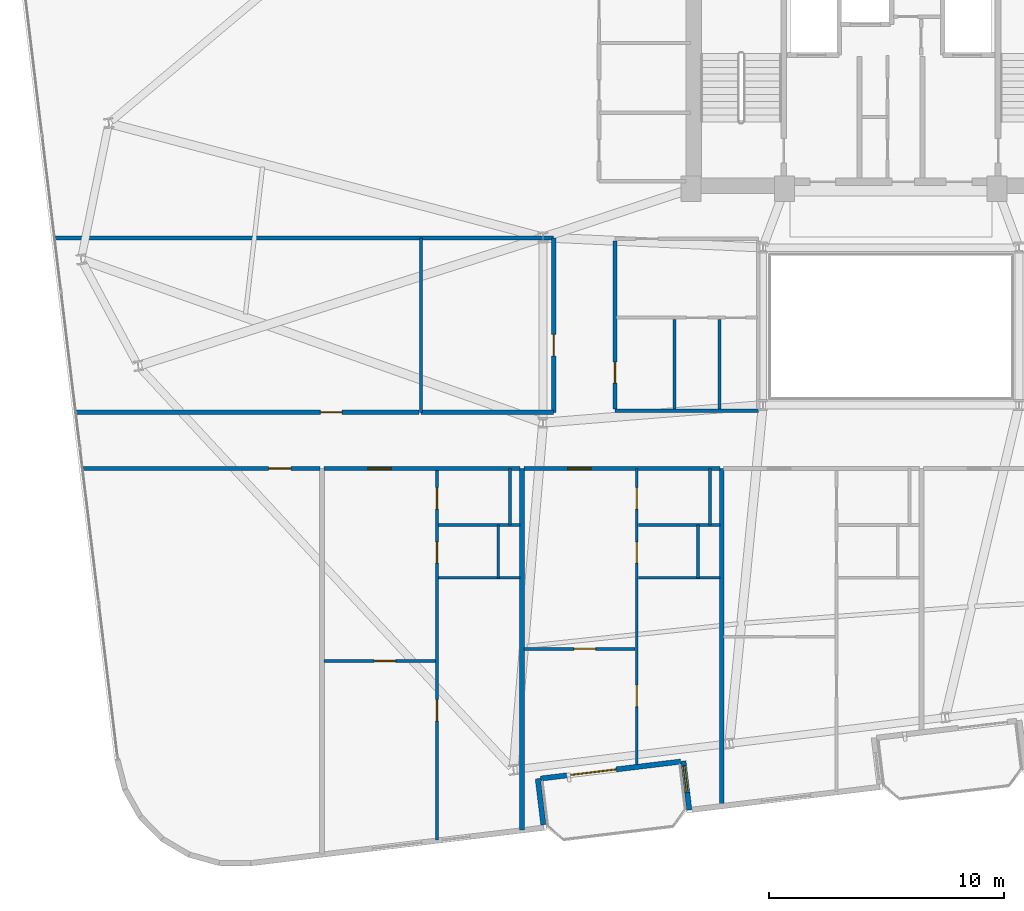
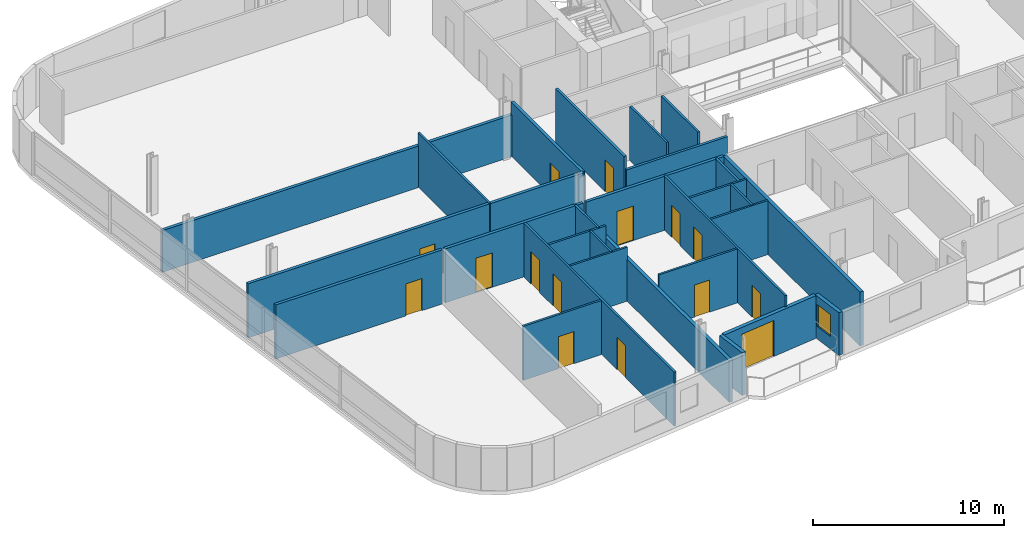
# One storey, part 14 of 23: 29 walls, 15 doors, 1 window, 16 openings.
"""IFC4 building model written with IfcOpenShell, lengths in metres."""

from ifc_helpers import new_model, si_unit, direction, frame, frame_2d, origin, place, context, subcontext, project, spatial, rectangle, extrude, material, layer, layer_set, type_object, element, fill, save


model = new_model("IFC4")

# Units and contexts
model_context = context("Model", 3, precision=1e-05, world=origin(), true_north=direction((0.0, 1.0)))
body_context = subcontext(model_context, "Body", "Model", "MODEL_VIEW")
ifc_project = project(units=[si_unit("LENGTHUNIT", "METRE"), si_unit("AREAUNIT", "SQUARE_METRE"), si_unit("VOLUMEUNIT", "CUBIC_METRE"), si_unit("PLANEANGLEUNIT", "RADIAN"), si_unit("MASSUNIT", "GRAM", prefix="KILO")], contexts=[model_context])

# Site, building, storey
site_placement = place(None, origin())
site = spatial("IfcSite", under=ifc_project, at=site_placement, CompositionType="ELEMENT")
building_placement = place(site_placement, origin())
building = spatial("IfcBuilding", under=site, at=building_placement, Name="Varnelok Gate Tower", CompositionType="ELEMENT")
storey_placement = place(building_placement, frame((0.0, 0.0, 189.39990234375)))
storey = spatial("IfcBuildingStorey", under=building, at=storey_placement, Name="L48", CompositionType="ELEMENT", Elevation=189.39990234375)

# Wall, opening, door
ifc_material_1 = material(Name="Concrete C45/55", Category="concrete")
ifc_layer_1 = layer(ifc_material_1, 0.219970703125)
ifc_layer_set_1 = layer_set([ifc_layer_1], Name="Concrete C45/55")
wall_type_1 = type_object("IfcWallType", Name="EW-BALC-220", PredefinedType="SOLIDWALL", material=ifc_layer_set_1)
wall_1_placement = place(storey_placement, frame((30.25244140625, 4.381103515625, 0.0), z_axis=(0.0, 0.0, 1.0), x_axis=(-0.992735402148, -0.120318000826, 0.0)))
wall_1 = element("IfcWall", 1, at=wall_1_placement, inside=storey, type_object=wall_type_1, Name="L48 South Terrace Envelope Wall 1", PredefinedType="SOLIDWALL", context=body_context, shape_type="SweptSolid", body=[
    extrude(rectangle(XDim=6.000244140625, YDim=0.219970703125, at=frame_2d((3.0, 0.0))), origin(), (0.0, 0.0, 1.0), 2.72998046875),
])
opening_1_placement = place(wall_1_placement, frame((2.756103515625, 0.0, 0.0)))
opening_1 = element("IfcOpeningElement", 2, at=opening_1_placement, cuts=wall_1, Name="Opening BD-2", PredefinedType="OPENING", context=body_context, shape_type="SweptSolid", body=[
    extrude(rectangle(XDim=2.10009765625, YDim=2.300048828125, at=frame_2d((1.050048828125, 1.14990234375))), frame((0.0, 0.119873046875, 0.0), z_axis=(0.0, -1.0, 0.0), x_axis=(1.0, 0.0, 0.0)), (0.0, 0.0, 1.0), 0.239990234375),
])
ifc_material_2 = material(Name="Anodized Aluminum Alloy 6063-T6", Category="aluminium")
door_type_1 = type_object("IfcDoorType", Name="DR-EXT-SLID2100", OperationType="SLIDING_TO_LEFT", PredefinedType="DOOR", material=ifc_material_2)
door_1_placement = place(opening_1_placement, origin())
door_1 = element("IfcDoor", 3, at=door_1_placement, inside=storey, type_object=door_type_1, Name="L48 South Balcony Glazed Door 1", OperationType="SLIDING_TO_LEFT", OverallHeight=2.300048828125, OverallWidth=2.10009765625, PredefinedType="DOOR", context=body_context, shape_type="SweptSolid", body=[
    extrude(rectangle(XDim=2.10009765625, YDim=2.300048828125, at=frame_2d((1.050048828125, 1.14990234375))), frame((0.0, 0.02490234375, 0.0), z_axis=(0.0, -1.0, 0.0), x_axis=(1.0, 0.0, 0.0)), (0.0, 0.0, 1.0), 0.050048828125),
])
fill(opening_1, door_1)

# Wall
wall_2_placement = place(storey_placement, frame((24.413330078125, 1.694091796875, 0.0), z_axis=(0.0, 0.0, 1.0), x_axis=(-0.120290754542, 0.992738703976, 0.0)))
element("IfcWall", 4, at=wall_2_placement, inside=storey, type_object=wall_type_1, Name="L48 Perimeter Facade Closure Wall 8", PredefinedType="SOLIDWALL", context=body_context, shape_type="SweptSolid", body=[
    extrude(rectangle(XDim=1.974853515625, YDim=0.219970703125, at=frame_2d((0.9873046875, 0.0))), origin(), (0.0, 0.0, 1.0), 2.72998046875),
])

# Wall, opening, window
wall_3_placement = place(storey_placement, frame((30.370361328125, 4.405517578125, 0.0), z_axis=(0.0, 0.0, 1.0), x_axis=(0.120327895535, -0.992734202874, 0.0)))
wall_3 = element("IfcWall", 5, at=wall_3_placement, inside=storey, type_object=wall_type_1, Name="L48 Perimeter Facade Closure Wall 9", PredefinedType="SOLIDWALL", context=body_context, shape_type="SweptSolid", body=[
    extrude(rectangle(XDim=2.099853515625, YDim=0.219970703125, at=frame_2d((1.0498046875, 0.0))), origin(), (0.0, 0.0, 1.0), 2.72998046875),
])
opening_2_placement = place(wall_3_placement, frame((0.199951171875, 0.0, 0.800048828125)))
opening_2 = element("IfcOpeningElement", 6, at=opening_2_placement, cuts=wall_3, Name="Opening WN8", PredefinedType="OPENING", context=body_context, shape_type="SweptSolid", body=[
    extrude(rectangle(XDim=1.14990234375, YDim=1.39990234375, at=frame_2d((0.574951171875, 0.699951171875))), frame((0.0, 0.119873046875, 0.0), z_axis=(0.0, -1.0, 0.0), x_axis=(1.0, 0.0, 0.0)), (0.0, 0.0, 1.0), 0.239990234375),
])
ifc_material_3 = material(Name="Low-E Laminated Double Glazing IGU", Category="glass")
window_type = type_object("IfcWindowType", Name="WN-BED-1150", PartitioningType="SINGLE_PANEL", PredefinedType="WINDOW", material=ifc_material_3)
window_placement = place(opening_2_placement, origin())
window = element("IfcWindow", 7, at=window_placement, inside=storey, type_object=window_type, Name="L48 Bedroom Vision Window 29", OverallHeight=1.39990234375, OverallWidth=1.14990234375, PartitioningType="SINGLE_PANEL", PredefinedType="WINDOW", context=body_context, shape_type="SweptSolid", body=[
    extrude(rectangle(XDim=1.14990234375, YDim=1.39990234375, at=frame_2d((0.574951171875, 0.699951171875))), frame((0.0, 0.030029296875, 0.0), z_axis=(0.0, -1.0, 0.0), x_axis=(1.0, 0.0, 0.0)), (0.0, 0.0, 1.0), 0.06005859375),
])
fill(opening_2, window)

# Wall, opening, door
ifc_material_4 = material(Name="Gypsum Plasterboard Acoustic Partition", Category="gypsum")
ifc_layer_2 = layer(ifc_material_4, 0.179931640625)
ifc_layer_set_2 = layer_set([ifc_layer_2], Name="Gypsum Plasterboard Acoustic Partition")
wall_type_2 = type_object("IfcWallType", Name="PW-CORR-180", PredefinedType="PARTITIONING", material=ifc_layer_set_2)
wall_4_placement = place(storey_placement, frame((4.846923828125, 16.85009765625, 0.0), z_axis=(0.0, 0.0, 1.0), x_axis=(1.0, 0.0, 0.0)))
wall_4 = element("IfcWall", 8, at=wall_4_placement, inside=storey, type_object=wall_type_2, Name="Interior Partition", PredefinedType="PARTITIONING", context=body_context, shape_type="SweptSolid", body=[
    extrude(rectangle(XDim=10.072998046875, YDim=0.179931640625, at=frame_2d((5.03662109375, 0.0))), origin(), (0.0, 0.0, 1.0), 3.4501953125),
])
opening_3_placement = place(wall_4_placement, frame((7.8779296875, 0.0, 0.0)))
opening_3 = element("IfcOpeningElement", 9, at=opening_3_placement, cuts=wall_4, Name="Opening D-I2", PredefinedType="OPENING", context=body_context, shape_type="SweptSolid", body=[
    extrude(rectangle(XDim=0.949951171875, YDim=2.050048828125, at=frame_2d((0.47509765625, 1.02490234375))), frame((0.0, 0.099853515625, 0.0), z_axis=(0.0, -1.0, 0.0), x_axis=(1.0, 0.0, 0.0)), (0.0, 0.0, 1.0), 0.199951171875),
])
ifc_material_5 = material(Name="Engineered Hardwood Timber", Category="wood")
door_type_2 = type_object("IfcDoorType", Name="DR-INT-950", OperationType="NOTDEFINED", PredefinedType="DOOR", material=ifc_material_5)
door_2_placement = place(opening_3_placement, origin())
door_2 = element("IfcDoor", 10, at=door_2_placement, inside=storey, type_object=door_type_2, Name="L48 Wellness Spa Lounge Door", OperationType="SINGLE_SWING_LEFT", OverallHeight=2.050048828125, OverallWidth=0.949951171875, PredefinedType="DOOR", context=body_context, shape_type="SweptSolid", body=[
    extrude(rectangle(XDim=0.949951171875, YDim=2.050048828125, at=frame_2d((0.47509765625, 1.02490234375))), frame((0.0, 0.02490234375, 0.0), z_axis=(0.0, -1.0, 0.0), x_axis=(1.0, 0.0, 0.0)), (0.0, 0.0, 1.0), 0.050048828125),
])
fill(opening_3, door_2)

wall_5_placement = place(storey_placement, frame((15.080078125, 16.85009765625, 0.0), z_axis=(0.0, 0.0, 1.0), x_axis=(1.0, 0.0, 0.0)))
wall_5 = element("IfcWall", 11, at=wall_5_placement, inside=storey, type_object=wall_type_2, Name="Interior Partition", PredefinedType="PARTITIONING", context=body_context, shape_type="SweptSolid", body=[
    extrude(rectangle(XDim=8.33984375, YDim=0.179931640625, at=frame_2d((4.169921875, 0.0))), origin(), (0.0, 0.0, 1.0), 3.4501953125),
])
opening_4_placement = place(wall_5_placement, frame((1.86767578125, 0.0, 0.0)))
opening_4 = element("IfcOpeningElement", 12, at=opening_4_placement, cuts=wall_5, Name="Opening D-AP", PredefinedType="OPENING", context=body_context, shape_type="SweptSolid", body=[
    extrude(rectangle(XDim=1.0, YDim=2.199951171875, at=frame_2d((0.5, 1.10009765625))), frame((0.0, 0.099853515625, 0.0), z_axis=(0.0, -1.0, 0.0), x_axis=(1.0, 0.0, 0.0)), (0.0, 0.0, 1.0), 0.199951171875),
])
door_type_3 = type_object("IfcDoorType", Name="DR-APT-1000", OperationType="NOTDEFINED", PredefinedType="DOOR", material=ifc_material_5)
door_3_placement = place(opening_4_placement, origin())
door_3 = element("IfcDoor", 13, at=door_3_placement, inside=storey, type_object=door_type_3, Name="L48 Apartment 2 Entrance Door", OperationType="SINGLE_SWING_LEFT", OverallHeight=2.199951171875, OverallWidth=1.0, PredefinedType="DOOR", context=body_context, shape_type="SweptSolid", body=[
    extrude(rectangle(XDim=1.0, YDim=2.199951171875, at=frame_2d((0.5, 1.10009765625))), frame((0.0, 0.02490234375, 0.0), z_axis=(0.0, -1.0, 0.0), x_axis=(1.0, 0.0, 0.0)), (0.0, 0.0, 1.0), 0.050048828125),
])
fill(opening_4, door_3)

wall_6_placement = place(storey_placement, frame((23.580078125, 16.85009765625, 0.0), z_axis=(0.0, 0.0, 1.0), x_axis=(1.0, 0.0, 0.0)))
wall_6 = element("IfcWall", 14, at=wall_6_placement, inside=storey, type_object=wall_type_2, Name="Interior Partition", PredefinedType="PARTITIONING", context=body_context, shape_type="SweptSolid", body=[
    extrude(rectangle(XDim=8.33984375, YDim=0.179931640625, at=frame_2d((4.169921875, 0.0))), origin(), (0.0, 0.0, 1.0), 3.4501953125),
])
opening_5_placement = place(wall_6_placement, frame((1.86767578125, 0.0, 0.0)))
opening_5 = element("IfcOpeningElement", 15, at=opening_5_placement, cuts=wall_6, Name="Opening D-AP", PredefinedType="OPENING", context=body_context, shape_type="SweptSolid", body=[
    extrude(rectangle(XDim=1.0, YDim=2.199951171875, at=frame_2d((0.5, 1.10009765625))), frame((0.0, 0.099853515625, 0.0), z_axis=(0.0, -1.0, 0.0), x_axis=(1.0, 0.0, 0.0)), (0.0, 0.0, 1.0), 0.199951171875),
])
door_4_placement = place(opening_5_placement, origin())
door_4 = element("IfcDoor", 16, at=door_4_placement, inside=storey, type_object=door_type_3, Name="L48 Apartment 3 Entrance Door", OperationType="SINGLE_SWING_RIGHT", OverallHeight=2.199951171875, OverallWidth=1.0, PredefinedType="DOOR", context=body_context, shape_type="SweptSolid", body=[
    extrude(rectangle(XDim=1.0, YDim=2.199951171875, at=frame_2d((0.5, 1.10009765625))), frame((0.0, 0.02490234375, 0.0), z_axis=(0.0, -1.0, 0.0), x_axis=(1.0, 0.0, 0.0)), (0.0, 0.0, 1.0), 0.050048828125),
])
fill(opening_5, door_4)

wall_7_placement = place(storey_placement, frame((4.55712890625, 19.239990234375, 0.0), z_axis=(0.0, 0.0, 1.0), x_axis=(1.0, 0.0, 0.0)))
wall_7 = element("IfcWall", 17, at=wall_7_placement, inside=storey, type_object=wall_type_2, Name="Interior Partition", PredefinedType="PARTITIONING", context=body_context, shape_type="SweptSolid", body=[
    extrude(rectangle(XDim=14.56298828125, YDim=0.179931640625, at=frame_2d((7.281494140625, 0.0))), origin(), (0.0, 0.0, 1.0), 3.4501953125),
])
opening_6_placement = place(wall_7_placement, frame((10.371826171875, 0.0, 0.0)))
opening_6 = element("IfcOpeningElement", 18, at=opening_6_placement, cuts=wall_7, Name="Opening D-I3", PredefinedType="OPENING", context=body_context, shape_type="SweptSolid", body=[
    extrude(rectangle(XDim=0.919921875, YDim=2.050048828125, at=frame_2d((0.4599609375, 1.02490234375))), frame((0.0, 0.099853515625, 0.0), z_axis=(0.0, -1.0, 0.0), x_axis=(1.0, 0.0, 0.0)), (0.0, 0.0, 1.0), 0.199951171875),
])
door_type_4 = type_object("IfcDoorType", Name="DR-INT-920", OperationType="NOTDEFINED", PredefinedType="DOOR", material=ifc_material_5)
door_5_placement = place(opening_6_placement, origin())
door_5 = element("IfcDoor", 19, at=door_5_placement, inside=storey, type_object=door_type_4, Name="L48 West Treatment Door", OperationType="SINGLE_SWING_RIGHT", OverallHeight=2.050048828125, OverallWidth=0.919921875, PredefinedType="DOOR", context=body_context, shape_type="SweptSolid", body=[
    extrude(rectangle(XDim=0.919921875, YDim=2.050048828125, at=frame_2d((0.4599609375, 1.02490234375))), frame((0.0, 0.02490234375, 0.0), z_axis=(0.0, -1.0, 0.0), x_axis=(1.0, 0.0, 0.0)), (0.0, 0.0, 1.0), 0.050048828125),
])
fill(opening_6, door_5)

wall_8_placement = place(storey_placement, frame((24.85009765625, 19.239990234375, 0.0), z_axis=(0.0, 0.0, 1.0), x_axis=(0.0, 1.0, 0.0)))
wall_8 = element("IfcWall", 20, at=wall_8_placement, inside=storey, type_object=wall_type_2, Name="Interior Partition", PredefinedType="PARTITIONING", context=body_context, shape_type="SweptSolid", body=[
    extrude(rectangle(XDim=7.419921875, YDim=0.179931640625, at=frame_2d((3.7099609375, 0.0))), origin(), (0.0, 0.0, 1.0), 3.4501953125),
])
opening_7_placement = place(wall_8_placement, frame((2.39990234375, 0.0, 0.0)))
opening_7 = element("IfcOpeningElement", 21, at=opening_7_placement, cuts=wall_8, Name="Opening D-I3", PredefinedType="OPENING", context=body_context, shape_type="SweptSolid", body=[
    extrude(rectangle(XDim=0.919921875, YDim=2.050048828125, at=frame_2d((0.4599609375, 1.02490234375))), frame((0.0, 0.099853515625, 0.0), z_axis=(0.0, -1.0, 0.0), x_axis=(1.0, 0.0, 0.0)), (0.0, 0.0, 1.0), 0.199951171875),
])
door_6_placement = place(opening_7_placement, origin())
door_6 = element("IfcDoor", 22, at=door_6_placement, inside=storey, type_object=door_type_4, Name="L48 West Playroom Door", OperationType="SINGLE_SWING_LEFT", OverallHeight=2.050048828125, OverallWidth=0.919921875, PredefinedType="DOOR", context=body_context, shape_type="SweptSolid", body=[
    extrude(rectangle(XDim=0.919921875, YDim=2.050048828125, at=frame_2d((0.4599609375, 1.02490234375))), frame((0.0, 0.02490234375, 0.0), z_axis=(0.0, -1.0, 0.0), x_axis=(1.0, 0.0, 0.0)), (0.0, 0.0, 1.0), 0.050048828125),
])
fill(opening_7, door_6)

# Walls
wall_9_placement = place(storey_placement, frame((19.199951171875, 19.239990234375, 0.0), z_axis=(0.0, 0.0, 1.0), x_axis=(1.0, 0.0, 0.0)))
element("IfcWall", 23, at=wall_9_placement, inside=storey, type_object=wall_type_2, Name="Interior Partition", PredefinedType="PARTITIONING", context=body_context, shape_type="SweptSolid", body=[
    extrude(rectangle(XDim=5.650146484375, YDim=0.179931640625, at=frame_2d((2.8251953125, 0.0))), origin(), (0.0, 0.0, 1.0), 3.4501953125),
])
wall_10_placement = place(storey_placement, frame((3.65771484375, 26.659912109375, 0.0), z_axis=(0.0, 0.0, 1.0), x_axis=(1.0, 0.0, 0.0)))
element("IfcWall", 24, at=wall_10_placement, inside=storey, type_object=wall_type_2, Name="Interior Partition", PredefinedType="PARTITIONING", context=body_context, shape_type="SweptSolid", body=[
    extrude(rectangle(XDim=21.1923828125, YDim=0.179931640625, at=frame_2d((10.59619140625, 0.0))), origin(), (0.0, 0.0, 1.0), 2.662109375),
])
ifc_layer_3 = layer(ifc_material_4, 0.114990234375)
ifc_layer_set_3 = layer_set([ifc_layer_3], Name="Gypsum Plasterboard Acoustic Partition")
wall_type_3 = type_object("IfcWallType", Name="PW-ENS-125", PredefinedType="PARTITIONING", material=ifc_layer_set_3)
wall_11_placement = place(storey_placement, frame((19.955078125, 12.199951171875, 0.0), z_axis=(0.0, 0.0, 1.0), x_axis=(1.0, 0.0, 0.0)))
element("IfcWall", 25, at=wall_11_placement, inside=storey, type_object=wall_type_3, Name="Interior Partition", PredefinedType="PARTITIONING", context=body_context, shape_type="SweptSolid", body=[
    extrude(rectangle(XDim=3.46484375, YDim=0.114990234375, at=frame_2d((1.732421875, 0.0))), origin(), (0.0, 0.0, 1.0), 3.4501953125),
])
wall_12_placement = place(storey_placement, frame((22.4951171875, 12.199951171875, 0.0), z_axis=(0.0, 0.0, 1.0), x_axis=(0.0, 1.0, 0.0)))
element("IfcWall", 26, at=wall_12_placement, inside=storey, type_object=wall_type_3, Name="Interior Partition", PredefinedType="PARTITIONING", context=body_context, shape_type="SweptSolid", body=[
    extrude(rectangle(XDim=2.239990234375, YDim=0.114990234375, at=frame_2d((1.1201171875, 0.0))), origin(), (0.0, 0.0, 1.0), 3.4501953125),
])
wall_13_placement = place(storey_placement, frame((28.455078125, 12.199951171875, 0.0), z_axis=(0.0, 0.0, 1.0), x_axis=(1.0, 0.0, 0.0)))
element("IfcWall", 27, at=wall_13_placement, inside=storey, type_object=wall_type_3, Name="Interior Partition", PredefinedType="PARTITIONING", context=body_context, shape_type="SweptSolid", body=[
    extrude(rectangle(XDim=3.46484375, YDim=0.114990234375, at=frame_2d((1.732421875, 0.0))), origin(), (0.0, 0.0, 1.0), 3.4501953125),
])
wall_14_placement = place(storey_placement, frame((30.9951171875, 12.199951171875, 0.0), z_axis=(0.0, 0.0, 1.0), x_axis=(0.0, 1.0, 0.0)))
element("IfcWall", 28, at=wall_14_placement, inside=storey, type_object=wall_type_3, Name="Interior Partition", PredefinedType="PARTITIONING", context=body_context, shape_type="SweptSolid", body=[
    extrude(rectangle(XDim=2.239990234375, YDim=0.114990234375, at=frame_2d((1.1201171875, 0.0))), origin(), (0.0, 0.0, 1.0), 3.4501953125),
])

# Wall, opening, door
ifc_layer_4 = layer(ifc_material_4, 0.125)
ifc_layer_set_4 = layer_set([ifc_layer_4], Name="Gypsum Plasterboard Acoustic Partition")
wall_type_4 = type_object("IfcWallType", Name="PW-PART-125", PredefinedType="PARTITIONING", material=ifc_layer_set_4)
wall_15_placement = place(storey_placement, frame((15.080078125, 8.663330078125, 0.0), z_axis=(0.0, 0.0, 1.0), x_axis=(1.0, 0.0, 0.0)))
wall_15 = element("IfcWall", 29, at=wall_15_placement, inside=storey, type_object=wall_type_4, Name="Interior Partition", PredefinedType="PARTITIONING", context=body_context, shape_type="SweptSolid", body=[
    extrude(rectangle(XDim=4.735107421875, YDim=0.125, at=frame_2d((2.36767578125, 0.0))), origin(), (0.0, 0.0, 1.0), 3.4501953125),
])
opening_8_placement = place(wall_15_placement, frame((2.130859375, 0.0, 0.0)))
opening_8 = element("IfcOpeningElement", 30, at=opening_8_placement, cuts=wall_15, Name="Opening D-I3", PredefinedType="OPENING", context=body_context, shape_type="SweptSolid", body=[
    extrude(rectangle(XDim=0.919921875, YDim=2.050048828125, at=frame_2d((0.4599609375, 1.02490234375))), frame((0.0, 0.072509765625, 0.0), z_axis=(0.0, -1.0, 0.0), x_axis=(1.0, 0.0, 0.0)), (0.0, 0.0, 1.0), 0.14501953125),
])
door_7_placement = place(opening_8_placement, origin())
door_7 = element("IfcDoor", 31, at=door_7_placement, inside=storey, type_object=door_type_4, Name="L48 Apartment 2 Study Door", OperationType="SINGLE_SWING_LEFT", OverallHeight=2.050048828125, OverallWidth=0.919921875, PredefinedType="DOOR", context=body_context, shape_type="SweptSolid", body=[
    extrude(rectangle(XDim=0.919921875, YDim=2.050048828125, at=frame_2d((0.4599609375, 1.02490234375))), frame((0.0, 0.02490234375, 0.0), z_axis=(0.0, -1.0, 0.0), x_axis=(1.0, 0.0, 0.0)), (0.0, 0.0, 1.0), 0.050048828125),
])
fill(opening_8, door_7)

# Wall, openings, doors
wall_16_placement = place(storey_placement, frame((19.88525390625, 1.039306640625, 0.0), z_axis=(0.0, 0.0, 1.0), x_axis=(0.0, 1.0, 0.0)))
wall_16 = element("IfcWall", 32, at=wall_16_placement, inside=storey, type_object=wall_type_4, Name="Interior Partition", PredefinedType="PARTITIONING", context=body_context, shape_type="SweptSolid", body=[
    extrude(rectangle(XDim=15.810791015625, YDim=0.125, at=frame_2d((7.9052734375, 0.0))), origin(), (0.0, 0.0, 1.0), 3.4501953125),
])
opening_9_placement = place(wall_16_placement, frame((5.060302734375, 0.0, 0.0)))
opening_9 = element("IfcOpeningElement", 33, at=opening_9_placement, cuts=wall_16, Name="Opening D-I3", PredefinedType="OPENING", context=body_context, shape_type="SweptSolid", body=[
    extrude(rectangle(XDim=0.919921875, YDim=2.050048828125, at=frame_2d((0.4599609375, 1.02490234375))), frame((0.0, 0.072509765625, 0.0), z_axis=(0.0, -1.0, 0.0), x_axis=(1.0, 0.0, 0.0)), (0.0, 0.0, 1.0), 0.14501953125),
])
opening_10_placement = place(wall_16_placement, frame((11.7880859375, 0.0, 0.0)))
opening_10 = element("IfcOpeningElement", 34, at=opening_10_placement, cuts=wall_16, Name="Opening D-WC", PredefinedType="OPENING", context=body_context, shape_type="SweptSolid", body=[
    extrude(rectangle(XDim=0.89990234375, YDim=2.050048828125, at=frame_2d((0.449951171875, 1.02490234375))), frame((0.0, 0.072509765625, 0.0), z_axis=(0.0, -1.0, 0.0), x_axis=(1.0, 0.0, 0.0)), (0.0, 0.0, 1.0), 0.14501953125),
])
opening_11_placement = place(wall_16_placement, frame((14.080810546875, 0.0, 0.0)))
opening_11 = element("IfcOpeningElement", 35, at=opening_11_placement, cuts=wall_16, Name="Opening D-I3", PredefinedType="OPENING", context=body_context, shape_type="SweptSolid", body=[
    extrude(rectangle(XDim=0.919921875, YDim=2.050048828125, at=frame_2d((0.4599609375, 1.02490234375))), frame((0.0, 0.072509765625, 0.0), z_axis=(0.0, -1.0, 0.0), x_axis=(1.0, 0.0, 0.0)), (0.0, 0.0, 1.0), 0.14501953125),
])
door_type_5 = type_object("IfcDoorType", Name="DR-BATH-900", OperationType="NOTDEFINED", PredefinedType="DOOR", material=ifc_material_5)
door_8_placement = place(opening_10_placement, origin())
door_8 = element("IfcDoor", 36, at=door_8_placement, inside=storey, type_object=door_type_5, Name="L48 Apartment 2 Bathroom Door", OperationType="SINGLE_SWING_LEFT", OverallHeight=2.050048828125, OverallWidth=0.89990234375, PredefinedType="DOOR", context=body_context, shape_type="SweptSolid", body=[
    extrude(rectangle(XDim=0.89990234375, YDim=2.050048828125, at=frame_2d((0.449951171875, 1.02490234375))), frame((0.0, 0.02490234375, 0.0), z_axis=(0.0, -1.0, 0.0), x_axis=(1.0, 0.0, 0.0)), (0.0, 0.0, 1.0), 0.050048828125),
])
fill(opening_10, door_8)
door_9_placement = place(opening_9_placement, origin())
door_9 = element("IfcDoor", 37, at=door_9_placement, inside=storey, type_object=door_type_4, Name="L48 Apartment 2 Bedroom Door", OperationType="SINGLE_SWING_RIGHT", OverallHeight=2.050048828125, OverallWidth=0.919921875, PredefinedType="DOOR", context=body_context, shape_type="SweptSolid", body=[
    extrude(rectangle(XDim=0.919921875, YDim=2.050048828125, at=frame_2d((0.4599609375, 1.02490234375))), frame((0.0, 0.02490234375, 0.0), z_axis=(0.0, -1.0, 0.0), x_axis=(1.0, 0.0, 0.0)), (0.0, 0.0, 1.0), 0.050048828125),
])
fill(opening_9, door_9)
door_10_placement = place(opening_11_placement, origin())
door_10 = element("IfcDoor", 38, at=door_10_placement, inside=storey, type_object=door_type_4, Name="L48 Apartment 2 Kitchen Door", OperationType="SINGLE_SWING_RIGHT", OverallHeight=2.050048828125, OverallWidth=0.919921875, PredefinedType="DOOR", context=body_context, shape_type="SweptSolid", body=[
    extrude(rectangle(XDim=0.919921875, YDim=2.050048828125, at=frame_2d((0.4599609375, 1.02490234375))), frame((0.0, 0.02490234375, 0.0), z_axis=(0.0, -1.0, 0.0), x_axis=(1.0, 0.0, 0.0)), (0.0, 0.0, 1.0), 0.050048828125),
])
fill(opening_11, door_10)

# Walls
wall_17_placement = place(storey_placement, frame((19.955078125, 14.43994140625, 0.0), z_axis=(0.0, 0.0, 1.0), x_axis=(1.0, 0.0, 0.0)))
element("IfcWall", 39, at=wall_17_placement, inside=storey, type_object=wall_type_4, Name="Interior Partition", PredefinedType="PARTITIONING", context=body_context, shape_type="SweptSolid", body=[
    extrude(rectangle(XDim=3.46484375, YDim=0.125, at=frame_2d((1.732421875, 0.0))), origin(), (0.0, 0.0, 1.0), 3.4501953125),
])
wall_18_placement = place(storey_placement, frame((22.9951171875, 14.43994140625, 0.0), z_axis=(0.0, 0.0, 1.0), x_axis=(0.0, 1.0, 0.0)))
element("IfcWall", 40, at=wall_18_placement, inside=storey, type_object=wall_type_4, Name="Interior Partition", PredefinedType="PARTITIONING", context=body_context, shape_type="SweptSolid", body=[
    extrude(rectangle(XDim=2.41015625, YDim=0.125, at=frame_2d((1.205078125, 0.0))), origin(), (0.0, 0.0, 1.0), 3.4501953125),
])

# Wall, opening, door
wall_19_placement = place(storey_placement, frame((23.580078125, 9.1787109375, 0.0), z_axis=(0.0, 0.0, 1.0), x_axis=(1.0, 0.0, 0.0)))
wall_19 = element("IfcWall", 41, at=wall_19_placement, inside=storey, type_object=wall_type_4, Name="Interior Partition", PredefinedType="PARTITIONING", context=body_context, shape_type="SweptSolid", body=[
    extrude(rectangle(XDim=4.735107421875, YDim=0.125, at=frame_2d((2.36767578125, 0.0))), origin(), (0.0, 0.0, 1.0), 3.4501953125),
])
opening_12_placement = place(wall_19_placement, frame((2.130859375, 0.0, 0.0)))
opening_12 = element("IfcOpeningElement", 42, at=opening_12_placement, cuts=wall_19, Name="Opening D-I3", PredefinedType="OPENING", context=body_context, shape_type="SweptSolid", body=[
    extrude(rectangle(XDim=0.919921875, YDim=2.050048828125, at=frame_2d((0.4599609375, 1.02490234375))), frame((0.0, 0.072509765625, 0.0), z_axis=(0.0, -1.0, 0.0), x_axis=(1.0, 0.0, 0.0)), (0.0, 0.0, 1.0), 0.14501953125),
])
door_11_placement = place(opening_12_placement, origin())
door_11 = element("IfcDoor", 43, at=door_11_placement, inside=storey, type_object=door_type_4, Name="L48 Apartment 3 Study Door", OperationType="SINGLE_SWING_LEFT", OverallHeight=2.050048828125, OverallWidth=0.919921875, PredefinedType="DOOR", context=body_context, shape_type="SweptSolid", body=[
    extrude(rectangle(XDim=0.919921875, YDim=2.050048828125, at=frame_2d((0.4599609375, 1.02490234375))), frame((0.0, 0.02490234375, 0.0), z_axis=(0.0, -1.0, 0.0), x_axis=(1.0, 0.0, 0.0)), (0.0, 0.0, 1.0), 0.050048828125),
])
fill(opening_12, door_11)

# Wall, openings, doors
wall_20_placement = place(storey_placement, frame((28.38525390625, 4.18505859375, 0.0), z_axis=(0.0, 0.0, 1.0), x_axis=(0.0, 1.0, 0.0)))
wall_20 = element("IfcWall", 44, at=wall_20_placement, inside=storey, type_object=wall_type_4, Name="Interior Partition", PredefinedType="PARTITIONING", context=body_context, shape_type="SweptSolid", body=[
    extrude(rectangle(XDim=12.6650390625, YDim=0.125, at=frame_2d((6.33251953125, 0.0))), origin(), (0.0, 0.0, 1.0), 3.4501953125),
])
opening_13_placement = place(wall_20_placement, frame((2.531494140625, 0.0, 0.0)))
opening_13 = element("IfcOpeningElement", 45, at=opening_13_placement, cuts=wall_20, Name="Opening D-I3", PredefinedType="OPENING", context=body_context, shape_type="SweptSolid", body=[
    extrude(rectangle(XDim=0.919921875, YDim=2.050048828125, at=frame_2d((0.4599609375, 1.02490234375))), frame((0.0, 0.072509765625, 0.0), z_axis=(0.0, -1.0, 0.0), x_axis=(1.0, 0.0, 0.0)), (0.0, 0.0, 1.0), 0.14501953125),
])
opening_14_placement = place(wall_20_placement, frame((8.64208984375, 0.0, 0.0)))
opening_14 = element("IfcOpeningElement", 46, at=opening_14_placement, cuts=wall_20, Name="Opening D-WC", PredefinedType="OPENING", context=body_context, shape_type="SweptSolid", body=[
    extrude(rectangle(XDim=0.89990234375, YDim=2.050048828125, at=frame_2d((0.449951171875, 1.02490234375))), frame((0.0, 0.072509765625, 0.0), z_axis=(0.0, -1.0, 0.0), x_axis=(1.0, 0.0, 0.0)), (0.0, 0.0, 1.0), 0.14501953125),
])
opening_15_placement = place(wall_20_placement, frame((10.934814453125, 0.0, 0.0)))
opening_15 = element("IfcOpeningElement", 47, at=opening_15_placement, cuts=wall_20, Name="Opening D-I3", PredefinedType="OPENING", context=body_context, shape_type="SweptSolid", body=[
    extrude(rectangle(XDim=0.919921875, YDim=2.050048828125, at=frame_2d((0.4599609375, 1.02490234375))), frame((0.0, 0.072509765625, 0.0), z_axis=(0.0, -1.0, 0.0), x_axis=(1.0, 0.0, 0.0)), (0.0, 0.0, 1.0), 0.14501953125),
])
door_12_placement = place(opening_14_placement, origin())
door_12 = element("IfcDoor", 48, at=door_12_placement, inside=storey, type_object=door_type_5, Name="L48 Apartment 3 Bathroom Door", OperationType="SINGLE_SWING_LEFT", OverallHeight=2.050048828125, OverallWidth=0.89990234375, PredefinedType="DOOR", context=body_context, shape_type="SweptSolid", body=[
    extrude(rectangle(XDim=0.89990234375, YDim=2.050048828125, at=frame_2d((0.449951171875, 1.02490234375))), frame((0.0, 0.02490234375, 0.0), z_axis=(0.0, -1.0, 0.0), x_axis=(1.0, 0.0, 0.0)), (0.0, 0.0, 1.0), 0.050048828125),
])
fill(opening_14, door_12)
door_13_placement = place(opening_13_placement, origin())
door_13 = element("IfcDoor", 49, at=door_13_placement, inside=storey, type_object=door_type_4, Name="L48 Apartment 3 Bedroom Door", OperationType="SINGLE_SWING_RIGHT", OverallHeight=2.050048828125, OverallWidth=0.919921875, PredefinedType="DOOR", context=body_context, shape_type="SweptSolid", body=[
    extrude(rectangle(XDim=0.919921875, YDim=2.050048828125, at=frame_2d((0.4599609375, 1.02490234375))), frame((0.0, 0.02490234375, 0.0), z_axis=(0.0, -1.0, 0.0), x_axis=(1.0, 0.0, 0.0)), (0.0, 0.0, 1.0), 0.050048828125),
])
fill(opening_13, door_13)
door_14_placement = place(opening_15_placement, origin())
door_14 = element("IfcDoor", 50, at=door_14_placement, inside=storey, type_object=door_type_4, Name="L48 Apartment 3 Kitchen Door", OperationType="SINGLE_SWING_RIGHT", OverallHeight=2.050048828125, OverallWidth=0.919921875, PredefinedType="DOOR", context=body_context, shape_type="SweptSolid", body=[
    extrude(rectangle(XDim=0.919921875, YDim=2.050048828125, at=frame_2d((0.4599609375, 1.02490234375))), frame((0.0, 0.02490234375, 0.0), z_axis=(0.0, -1.0, 0.0), x_axis=(1.0, 0.0, 0.0)), (0.0, 0.0, 1.0), 0.050048828125),
])
fill(opening_15, door_14)

# Walls
wall_21_placement = place(storey_placement, frame((28.455078125, 14.43994140625, 0.0), z_axis=(0.0, 0.0, 1.0), x_axis=(1.0, 0.0, 0.0)))
element("IfcWall", 51, at=wall_21_placement, inside=storey, type_object=wall_type_4, Name="Interior Partition", PredefinedType="PARTITIONING", context=body_context, shape_type="SweptSolid", body=[
    extrude(rectangle(XDim=3.46484375, YDim=0.125, at=frame_2d((1.732421875, 0.0))), origin(), (0.0, 0.0, 1.0), 3.4501953125),
])
wall_22_placement = place(storey_placement, frame((31.4951171875, 14.43994140625, 0.0), z_axis=(0.0, 0.0, 1.0), x_axis=(0.0, 1.0, 0.0)))
element("IfcWall", 52, at=wall_22_placement, inside=storey, type_object=wall_type_4, Name="Interior Partition", PredefinedType="PARTITIONING", context=body_context, shape_type="SweptSolid", body=[
    extrude(rectangle(XDim=2.41015625, YDim=0.125, at=frame_2d((1.205078125, 0.0))), origin(), (0.0, 0.0, 1.0), 3.4501953125),
])
wall_23_placement = place(storey_placement, frame((19.199951171875, 19.239990234375, 0.0), z_axis=(0.0, 0.0, 1.0), x_axis=(0.0, 1.0, 0.0)))
element("IfcWall", 53, at=wall_23_placement, inside=storey, type_object=wall_type_4, Name="Interior Partition", PredefinedType="PARTITIONING", context=body_context, shape_type="SweptSolid", body=[
    extrude(rectangle(XDim=7.419921875, YDim=0.125, at=frame_2d((3.7099609375, 0.0))), origin(), (0.0, 0.0, 1.0), 3.4501953125),
])
for number, where, z_axis, x_axis, name in (
    (54, (30.0, 19.3798828125, 0.0), (0.0, 0.0, 1.0), (0.0, 1.0, 0.0), "Interior Partition"),
    (55, (31.89990234375, 19.3798828125, 0.0), (0.0, 0.0, 1.0), (0.0, 1.0, 0.0), "Interior Partition"),
):
    element("IfcWall", number, at=place(storey_placement, frame(where, z_axis=z_axis, x_axis=x_axis)), inside=storey, type_object=wall_type_4, Name=name, PredefinedType="PARTITIONING", context=body_context, shape_type="SweptSolid", body=[
        extrude(rectangle(XDim=3.820068359375, YDim=0.125, at=frame_2d((1.91015625, 0.0))), origin(), (0.0, 0.0, 1.0), 3.4501953125),
    ])
ifc_layer_5 = layer(ifc_material_4, 0.14990234375)
ifc_layer_set_5 = layer_set([ifc_layer_5], Name="Gypsum Plasterboard Acoustic Partition")
wall_type_5 = type_object("IfcWallType", Name="PW-PART-150", PredefinedType="PARTITIONING", material=ifc_layer_set_5)
wall_24_placement = place(storey_placement, frame((27.4599609375, 19.300048828125, 0.0), z_axis=(0.0, 0.0, 1.0), x_axis=(1.0, 0.0, 0.0)))
element("IfcWall", 56, at=wall_24_placement, inside=storey, type_object=wall_type_5, Name="Interior Partition", PredefinedType="PARTITIONING", context=body_context, shape_type="SweptSolid", body=[
    extrude(rectangle(XDim=6.10009765625, YDim=0.14990234375, at=frame_2d((3.050048828125, 0.0))), origin(), (0.0, 0.0, 1.0), 2.662109375),
])

# Wall, opening, door
wall_25_placement = place(storey_placement, frame((27.4599609375, 19.3798828125, 0.0), z_axis=(0.0, 0.0, 1.0), x_axis=(0.0, 1.0, 0.0)))
wall_25 = element("IfcWall", 57, at=wall_25_placement, inside=storey, type_object=wall_type_5, Name="Interior Partition", PredefinedType="PARTITIONING", context=body_context, shape_type="SweptSolid", body=[
    extrude(rectangle(XDim=7.16015625, YDim=0.14990234375, at=frame_2d((3.580078125, 0.0))), origin(), (0.0, 0.0, 1.0), 3.4501953125),
])
opening_16_placement = place(wall_25_placement, frame((1.10009765625, 0.0, 0.0)))
opening_16 = element("IfcOpeningElement", 58, at=opening_16_placement, cuts=wall_25, Name="Opening D-WC", PredefinedType="OPENING", context=body_context, shape_type="SweptSolid", body=[
    extrude(rectangle(XDim=0.89990234375, YDim=2.050048828125, at=frame_2d((0.449951171875, 1.02490234375))), frame((0.0, 0.0849609375, 0.0), z_axis=(0.0, -1.0, 0.0), x_axis=(1.0, 0.0, 0.0)), (0.0, 0.0, 1.0), 0.169921875),
])
door_15_placement = place(opening_16_placement, origin())
door_15 = element("IfcDoor", 59, at=door_15_placement, inside=storey, type_object=door_type_5, Name="L48 Accessible Floor WC Door", OperationType="SINGLE_SWING_RIGHT", OverallHeight=2.050048828125, OverallWidth=0.89990234375, PredefinedType="DOOR", context=body_context, shape_type="SweptSolid", body=[
    extrude(rectangle(XDim=0.89990234375, YDim=2.050048828125, at=frame_2d((0.449951171875, 1.02490234375))), frame((0.0, 0.02490234375, 0.0), z_axis=(0.0, -1.0, 0.0), x_axis=(1.0, 0.0, 0.0)), (0.0, 0.0, 1.0), 0.050048828125),
])
fill(opening_16, door_15)

# Walls
ifc_layer_6 = layer(ifc_material_4, 0.205078125)
ifc_layer_set_6 = layer_set([ifc_layer_6], Name="Gypsum Plasterboard Acoustic Partition")
wall_type_6 = type_object("IfcWallType", Name="PW-PARTY-200", PredefinedType="PARTITIONING", material=ifc_layer_set_6)
wall_26_placement = place(storey_placement, frame((23.5, 1.4775390625, 0.0), z_axis=(0.0, 0.0, 1.0), x_axis=(0.0, 1.0, 0.0)))
element("IfcWall", 60, at=wall_26_placement, inside=storey, type_object=wall_type_6, Name="L48 South Party Wall 2", PredefinedType="PARTITIONING", context=body_context, shape_type="SweptSolid", body=[
    extrude(rectangle(XDim=15.37255859375, YDim=0.205078125, at=frame_2d((7.686279296875, 0.0))), origin(), (0.0, 0.0, 1.0), 2.662109375),
])
wall_27_placement = place(storey_placement, frame((32.0, 2.5078125, 0.0), z_axis=(0.0, 0.0, 1.0), x_axis=(0.0, 1.0, 0.0)))
element("IfcWall", 61, at=wall_27_placement, inside=storey, type_object=wall_type_6, Name="L48 South Party Wall 3", PredefinedType="PARTITIONING", context=body_context, shape_type="SweptSolid", body=[
    extrude(rectangle(XDim=14.34228515625, YDim=0.205078125, at=frame_2d((7.171142578125, 0.0))), origin(), (0.0, 0.0, 1.0), 3.4501953125),
])

save(model, "model.ifc")
